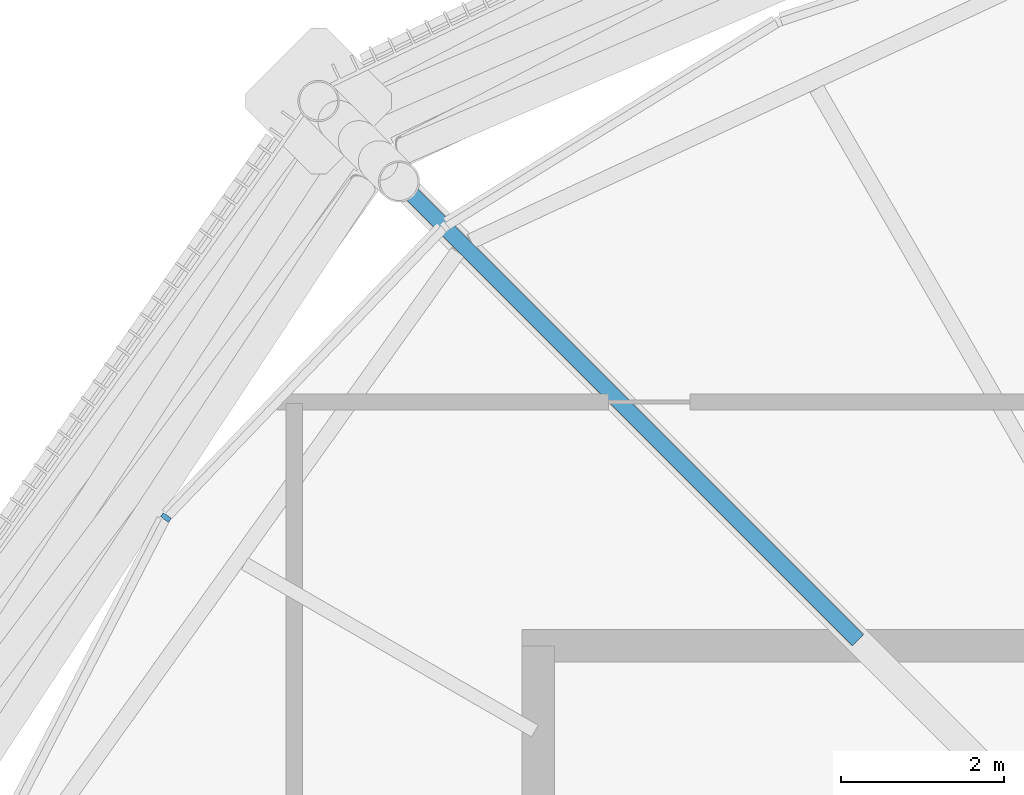
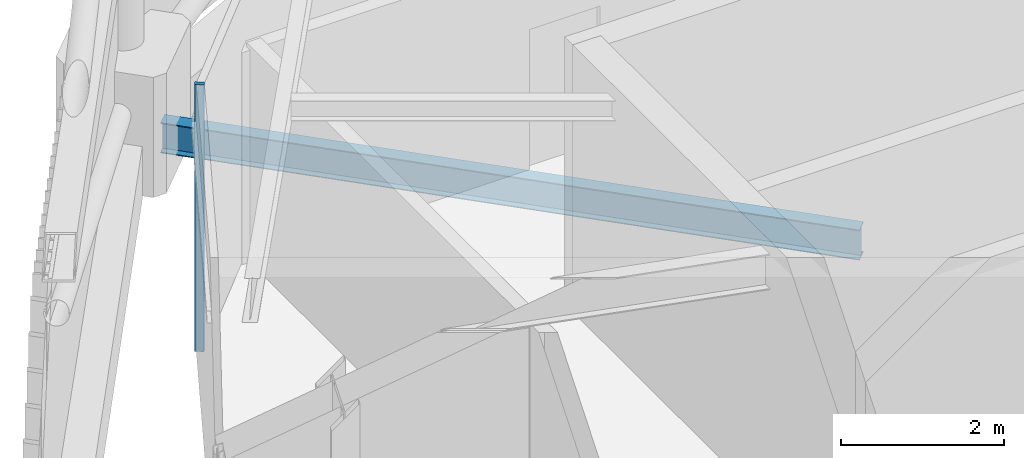
# One storey, part 17 of 71: 1 beam, 1 member, 1 element without a shape of its own.
"""IFC4 building model written with IfcOpenShell, lengths in metres."""

from ifc_helpers import new_model, si_unit, direction, frame, origin, origin_2d, place, context, subcontext, project, spatial, rectangle, i_section, extrude, material, material_profile, profile_set, type_object, element, aggregate, save


model = new_model("IFC4")

# Units and contexts
model_context = context("Model", 3, precision=1e-05, world=origin(), true_north=direction((0.0, 1.0)))
body_context = subcontext(model_context, "Body", "Model", "MODEL_VIEW")
ifc_project = project(units=[si_unit("LENGTHUNIT", "METRE"), si_unit("AREAUNIT", "SQUARE_METRE"), si_unit("VOLUMEUNIT", "CUBIC_METRE"), si_unit("PLANEANGLEUNIT", "RADIAN"), si_unit("MASSUNIT", "GRAM", prefix="KILO")], contexts=[model_context])

# Site, building, storey
site_placement = place(None, origin())
site = spatial("IfcSite", under=ifc_project, at=site_placement, CompositionType="ELEMENT")
building_placement = place(site_placement, origin())
building = spatial("IfcBuilding", under=site, at=building_placement, Name="Rimbun Link Towers", CompositionType="ELEMENT")
storey_placement = place(building_placement, frame((0.0, 0.0, 267.60009765625)))
storey = spatial("IfcBuildingStorey", under=building, at=storey_placement, Name="L65", CompositionType="ELEMENT", Elevation=267.60009765625)

# Curtain wall, member
ifc_material_1 = material(Name="Aluminium 6063-T6 louvre wall", Category="aluminium")
curtain_wall_type = type_object("IfcCurtainWallType", Name="CW6 plant floor louvre wall", PredefinedType="NOTDEFINED", material=ifc_material_1)
curtain_wall_placement = place(storey_placement, origin())
curtain_wall = element("IfcCurtainWall", 1, at=curtain_wall_placement, inside=storey, type_object=curtain_wall_type, Name="CW6 L65 T1", PredefinedType="NOTDEFINED")
ifc_material_2 = material(Name="Aluminium 6063-T6", Category="aluminium")
ifc_material_profile_1 = material_profile(ifc_material_2, rectangle(XDim=0.1201171875, YDim=0.06005859375, at=origin_2d()), Name="MULLION 60X120")
ifc_profile_set_1 = profile_set([ifc_material_profile_1], Name="Aluminium 6063-T6")
member_type = type_object("IfcMemberType", Name="CW6 mullion 60X120", PredefinedType="MULLION", material=ifc_profile_set_1)
member_placement = place(storey_placement, frame((-48.328369140625, 9.578369140625, 0.0), z_axis=(0.0, 0.0, 1.0), x_axis=(-0.813347238366, 0.581778540204, 0.0)))
member = element("IfcMember", 2, at=member_placement, type_object=member_type, Name="CW6 mullion", PredefinedType="MULLION", context=body_context, shape_type="SweptSolid", body=[
    extrude(rectangle(XDim=0.1201171875, YDim=0.06005859375, at=origin_2d()), origin(), (0.0, 0.0, 1.0), 4.0),
])
aggregate(curtain_wall, [member])

# Beam
ifc_material_3 = material(Name="Steel S355J2", Category="steel")
ifc_material_profile_2 = material_profile(ifc_material_3, i_section(OverallWidth=0.18994140625, OverallDepth=0.453369140625, WebThickness=0.008544921875, FlangeThickness=0.0126953125, at=origin_2d()), Name="UB 457x191x67")
ifc_profile_set_2 = profile_set([ifc_material_profile_2], Name="Steel S355J2")
beam_type = type_object("IfcBeamType", Name="UB 457x191x67", PredefinedType="BEAM", material=ifc_profile_set_2)
beam_placement = place(storey_placement, frame((-39.81787109375, 8.06787109375, -0.4267578125), z_axis=(-0.707106781187, 0.707106781187, 0.0), x_axis=(-0.707106781187, -0.707106781187, 0.0)))
element("IfcBeam", 3, at=beam_placement, inside=storey, type_object=beam_type, Name="Radial beam T1 L65 09", PredefinedType="BEAM", context=body_context, shape_type="SweptSolid", body=[
    extrude(i_section(OverallWidth=0.18994140625, OverallDepth=0.453369140625, WebThickness=0.008544921875, FlangeThickness=0.0126953125, at=origin_2d()), origin(), (0.0, 0.0, 1.0), 8.880615234375),
])

save(model, "model.ifc")
